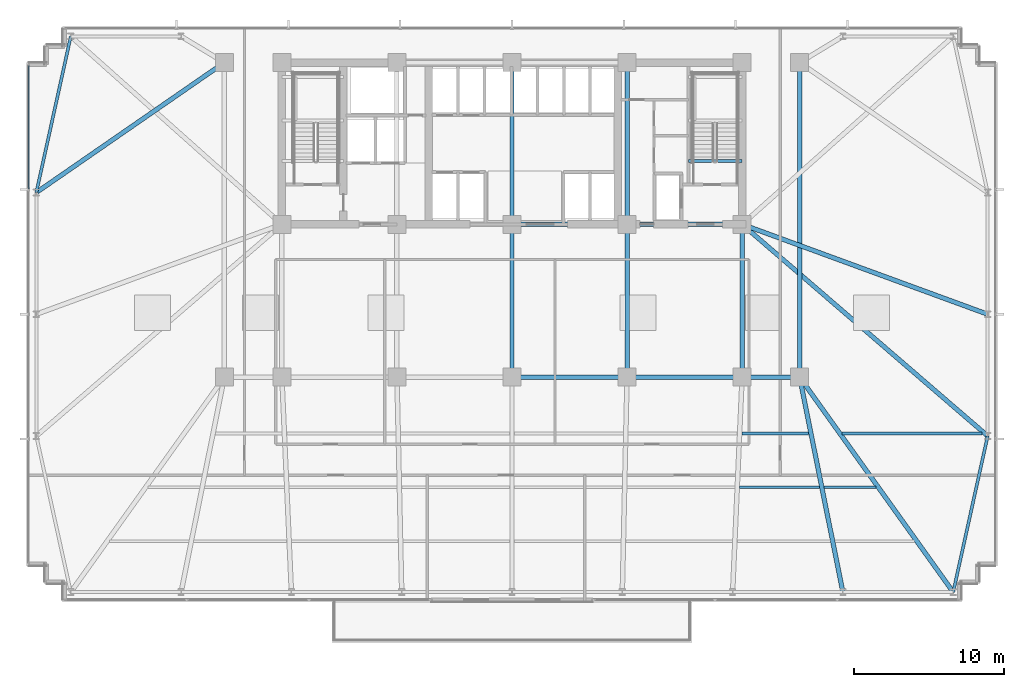
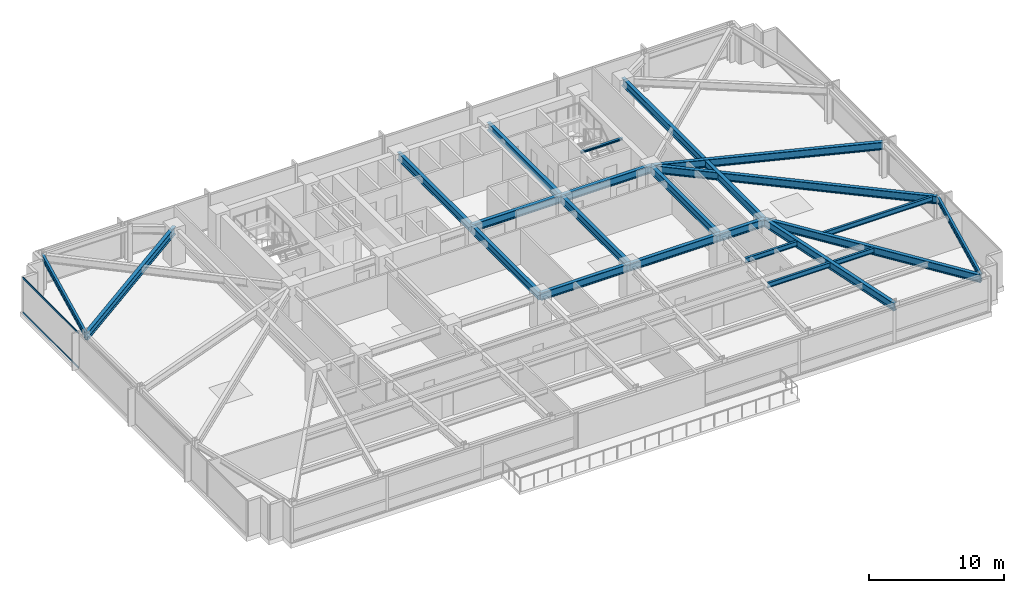
# One storey, part 14 of 31: 23 beams, 2 members, 1 element without a shape of its own.
"""IFC4 building model written with IfcOpenShell, lengths in metres."""

from ifc_helpers import new_model, si_unit, direction, frame, origin, origin_2d, place, context, subcontext, project, spatial, hollow_rectangle, i_section, extrude, material, material_profile, profile_set, type_object, element, aggregate, save


model = new_model("IFC4")

# Units and contexts
model_context = context("Model", 3, precision=1e-05, world=origin(), true_north=direction((0.0, 1.0)))
body_context = subcontext(model_context, "Body", "Model", "MODEL_VIEW")
ifc_project = project(units=[si_unit("LENGTHUNIT", "METRE"), si_unit("AREAUNIT", "SQUARE_METRE"), si_unit("VOLUMEUNIT", "CUBIC_METRE"), si_unit("PLANEANGLEUNIT", "RADIAN"), si_unit("MASSUNIT", "GRAM", prefix="KILO")], contexts=[model_context])

# Site, building, storey
site_placement = place(None, origin())
site = spatial("IfcSite", under=ifc_project, at=site_placement, CompositionType="ELEMENT")
building_placement = place(site_placement, origin())
building = spatial("IfcBuilding", under=site, at=building_placement, Name="Yelkora Congress Tower", CompositionType="ELEMENT")
storey_placement = place(building_placement, frame((0.0, 0.0, 30.39990234375)))
storey = spatial("IfcBuildingStorey", under=building, at=storey_placement, Name="L06", CompositionType="ELEMENT", Elevation=30.39990234375)

# Beams
ifc_material_1 = material(Name="Steel S355J2", Category="steel")
ifc_material_profile_1 = material_profile(ifc_material_1, i_section(OverallWidth=0.300048828125, OverallDepth=0.699951171875, WebThickness=0.01708984375, FlangeThickness=0.031982421875, FilletRadius=0.027099609375, at=origin_2d()), Name="HEB 700")
ifc_profile_set_1 = profile_set([ifc_material_profile_1], Name="Steel S355J2")
beam_type_1 = type_object("IfcBeamType", Name="BM-GIRD-HEB700", PredefinedType="BEAM", material=ifc_profile_set_1)
beam_1_placement = place(storey_placement, frame((38.39990234375, 25.199951171875, 2.830078125), z_axis=(1.0, 0.0, 0.0), x_axis=(0.0, 1.0, 0.0)))
element("IfcBeam", 1, at=beam_1_placement, inside=storey, type_object=beam_type_1, Name="L06 Spine Grid D Girder 4", PredefinedType="BEAM", context=body_context, shape_type="SweptSolid", body=[
    extrude(i_section(OverallWidth=0.300048828125, OverallDepth=0.699951171875, WebThickness=0.01708984375, FlangeThickness=0.031982421875, FilletRadius=0.027099609375, at=origin_2d()), origin(), (0.0, 0.0, 1.0), 7.68017578125),
])
beam_2_placement = place(storey_placement, frame((46.080078125, 25.199951171875, 2.830078125), z_axis=(1.0, 0.0, 0.0), x_axis=(0.0, 1.0, 0.0)))
element("IfcBeam", 2, at=beam_2_placement, inside=storey, type_object=beam_type_1, Name="L06 Spine Grid D Girder 5", PredefinedType="BEAM", context=body_context, shape_type="SweptSolid", body=[
    extrude(i_section(OverallWidth=0.300048828125, OverallDepth=0.699951171875, WebThickness=0.01708984375, FlangeThickness=0.031982421875, FilletRadius=0.027099609375, at=origin_2d()), origin(), (0.0, 0.0, 1.0), 7.679931640625),
])
beam_3_placement = place(storey_placement, frame((53.760009765625, 25.199951171875, 2.830078125), z_axis=(1.0, 0.0, 0.0), x_axis=(0.0, 1.0, 0.0)))
element("IfcBeam", 3, at=beam_3_placement, inside=storey, type_object=beam_type_1, Name="L06 Spine Grid D Girder 6", PredefinedType="BEAM", context=body_context, shape_type="SweptSolid", body=[
    extrude(i_section(OverallWidth=0.300048828125, OverallDepth=0.699951171875, WebThickness=0.01708984375, FlangeThickness=0.031982421875, FilletRadius=0.027099609375, at=origin_2d()), origin(), (0.0, 0.0, 1.0), 3.840087890625),
])
beam_4_placement = place(storey_placement, frame((38.39990234375, 35.39990234375, 2.830078125), z_axis=(1.0, 0.0, 0.0), x_axis=(0.0, 1.0, 0.0)))
element("IfcBeam", 4, at=beam_4_placement, inside=storey, type_object=beam_type_1, Name="L06 Core South Girder 3", PredefinedType="BEAM", context=body_context, shape_type="SweptSolid", body=[
    extrude(i_section(OverallWidth=0.300048828125, OverallDepth=0.699951171875, WebThickness=0.01708984375, FlangeThickness=0.031982421875, FilletRadius=0.027099609375, at=origin_2d()), origin(), (0.0, 0.0, 1.0), 7.68017578125),
])
beam_5_placement = place(storey_placement, frame((46.080078125, 35.39990234375, 2.830078125), z_axis=(1.0, 0.0, 0.0), x_axis=(0.0, 1.0, 0.0)))
element("IfcBeam", 5, at=beam_5_placement, inside=storey, type_object=beam_type_1, Name="L06 Core South Girder 4", PredefinedType="BEAM", context=body_context, shape_type="SweptSolid", body=[
    extrude(i_section(OverallWidth=0.300048828125, OverallDepth=0.699951171875, WebThickness=0.01708984375, FlangeThickness=0.031982421875, FilletRadius=0.027099609375, at=origin_2d()), origin(), (0.0, 0.0, 1.0), 7.679931640625),
])
beam_6_placement = place(storey_placement, frame((38.39990234375, 25.199951171875, 2.830078125), z_axis=(0.0, 1.0, 0.0), x_axis=(-1.0, 0.0, 0.0)))
element("IfcBeam", 6, at=beam_6_placement, inside=storey, type_object=beam_type_1, Name="L06 Core Tie Girder MC-D3", PredefinedType="BEAM", context=body_context, shape_type="SweptSolid", body=[
    extrude(i_section(OverallWidth=0.300048828125, OverallDepth=0.699951171875, WebThickness=0.01708984375, FlangeThickness=0.031982421875, FilletRadius=0.027099609375, at=origin_2d()), origin(), (0.0, 0.0, 1.0), 10.199951171875),
])
beam_7_placement = place(storey_placement, frame((38.39990234375, 35.39990234375, 2.830078125), z_axis=(0.0, 1.0, 0.0), x_axis=(-1.0, 0.0, 0.0)))
element("IfcBeam", 7, at=beam_7_placement, inside=storey, type_object=beam_type_1, Name="L06 Core Tie Girder MC-S3", PredefinedType="BEAM", context=body_context, shape_type="SweptSolid", body=[
    extrude(i_section(OverallWidth=0.300048828125, OverallDepth=0.699951171875, WebThickness=0.01708984375, FlangeThickness=0.031982421875, FilletRadius=0.027099609375, at=origin_2d()), origin(), (0.0, 0.0, 1.0), 10.800048828125),
])
beam_8_placement = place(storey_placement, frame((46.080078125, 25.199951171875, 2.830078125), z_axis=(0.0, 1.0, 0.0), x_axis=(-1.0, 0.0, 0.0)))
element("IfcBeam", 8, at=beam_8_placement, inside=storey, type_object=beam_type_1, Name="L06 Core Tie Girder MC-D4", PredefinedType="BEAM", context=body_context, shape_type="SweptSolid", body=[
    extrude(i_section(OverallWidth=0.300048828125, OverallDepth=0.699951171875, WebThickness=0.01708984375, FlangeThickness=0.031982421875, FilletRadius=0.027099609375, at=origin_2d()), origin(), (0.0, 0.0, 1.0), 10.199951171875),
])
beam_9_placement = place(storey_placement, frame((46.080078125, 35.39990234375, 2.830078125), z_axis=(0.0, 1.0, 0.0), x_axis=(-1.0, 0.0, 0.0)))
element("IfcBeam", 9, at=beam_9_placement, inside=storey, type_object=beam_type_1, Name="L06 Core Tie Girder MC-S4", PredefinedType="BEAM", context=body_context, shape_type="SweptSolid", body=[
    extrude(i_section(OverallWidth=0.300048828125, OverallDepth=0.699951171875, WebThickness=0.01708984375, FlangeThickness=0.031982421875, FilletRadius=0.027099609375, at=origin_2d()), origin(), (0.0, 0.0, 1.0), 10.800048828125),
])
beam_10_placement = place(storey_placement, frame((53.760009765625, 25.199951171875, 2.830078125), z_axis=(0.0, 1.0, 0.0), x_axis=(-1.0, 0.0, 0.0)))
element("IfcBeam", 10, at=beam_10_placement, inside=storey, type_object=beam_type_1, Name="L06 Core Tie Girder MC-D5", PredefinedType="BEAM", context=body_context, shape_type="SweptSolid", body=[
    extrude(i_section(OverallWidth=0.300048828125, OverallDepth=0.699951171875, WebThickness=0.01708984375, FlangeThickness=0.031982421875, FilletRadius=0.027099609375, at=origin_2d()), origin(), (0.0, 0.0, 1.0), 10.199951171875),
])
beam_11_placement = place(storey_placement, frame((57.60009765625, 25.199951171875, 2.830078125), z_axis=(0.0, 1.0, 0.0), x_axis=(-1.0, 0.0, 0.0)))
element("IfcBeam", 11, at=beam_11_placement, inside=storey, type_object=beam_type_1, Name="L06 Neck Flank Girder MC-F2", PredefinedType="BEAM", context=body_context, shape_type="SweptSolid", body=[
    extrude(i_section(OverallWidth=0.300048828125, OverallDepth=0.699951171875, WebThickness=0.01708984375, FlangeThickness=0.031982421875, FilletRadius=0.027099609375, at=origin_2d()), origin(), (0.0, 0.0, 1.0), 21.0),
])
beam_12_placement = place(storey_placement, frame((60.487548828125, 10.85009765625, 2.830078125), z_axis=(-0.197264295931, 0.980350344291, 0.0), x_axis=(-0.980350344291, -0.197264295931, 0.0)))
element("IfcBeam", 12, at=beam_12_placement, inside=storey, type_object=beam_type_1, Name="L06 Primary Frame Girder S08", PredefinedType="BEAM", context=body_context, shape_type="SweptSolid", body=[
    extrude(i_section(OverallWidth=0.300048828125, OverallDepth=0.699951171875, WebThickness=0.01708984375, FlangeThickness=0.031982421875, FilletRadius=0.027099609375, at=origin_2d()), origin(), (0.0, 0.0, 1.0), 14.637451171875),
])
beam_13_placement = place(storey_placement, frame((67.85009765625, 10.85009765625, 2.830078125), z_axis=(-0.581242122521, 0.813730664906, 0.0), x_axis=(-0.813730664906, -0.581242122521, 0.0)))
element("IfcBeam", 13, at=beam_13_placement, inside=storey, type_object=beam_type_1, Name="L06 Primary Frame Girder S09", PredefinedType="BEAM", context=body_context, shape_type="SweptSolid", body=[
    extrude(i_section(OverallWidth=0.300048828125, OverallDepth=0.699951171875, WebThickness=0.01708984375, FlangeThickness=0.031982421875, FilletRadius=0.027099609375, at=origin_2d()), origin(), (0.0, 0.0, 1.0), 17.634765625),
])
beam_14_placement = place(storey_placement, frame((70.14990234375, 21.27490234375, 2.830078125), z_axis=(-0.757506357109, 0.652827786586, 0.0), x_axis=(-0.652827786586, -0.757506357109, 0.0)))
element("IfcBeam", 14, at=beam_14_placement, inside=storey, type_object=beam_type_1, Name="L06 Primary Frame Girder E01", PredefinedType="BEAM", context=body_context, shape_type="SweptSolid", body=[
    extrude(i_section(OverallWidth=0.300048828125, OverallDepth=0.699951171875, WebThickness=0.01708984375, FlangeThickness=0.031982421875, FilletRadius=0.027099609375, at=origin_2d()), origin(), (0.0, 0.0, 1.0), 21.63671875),
])
beam_15_placement = place(storey_placement, frame((70.14990234375, 29.39990234375, 2.830078125), z_axis=(-0.939054471542, 0.343768380567, 0.0), x_axis=(-0.343768380567, -0.939054471542, 0.0)))
element("IfcBeam", 15, at=beam_15_placement, inside=storey, type_object=beam_type_1, Name="L06 Primary Frame Girder E02", PredefinedType="BEAM", context=body_context, shape_type="SweptSolid", body=[
    extrude(i_section(OverallWidth=0.300048828125, OverallDepth=0.699951171875, WebThickness=0.01708984375, FlangeThickness=0.031982421875, FilletRadius=0.027099609375, at=origin_2d()), origin(), (0.0, 0.0, 1.0), 17.45361328125),
])
beam_16_placement = place(storey_placement, frame((6.64990234375, 37.52490234375, 2.830078125), z_axis=(0.822604454175, 0.568614027238, 0.0), x_axis=(-0.568614027238, 0.822604454175, 0.0)))
element("IfcBeam", 16, at=beam_16_placement, inside=storey, type_object=beam_type_1, Name="L06 Primary Frame Girder W03", PredefinedType="BEAM", context=body_context, shape_type="SweptSolid", body=[
    extrude(i_section(OverallWidth=0.300048828125, OverallDepth=0.699951171875, WebThickness=0.01708984375, FlangeThickness=0.031982421875, FilletRadius=0.027099609375, at=origin_2d()), origin(), (0.0, 0.0, 1.0), 15.256591796875),
])
ifc_material_profile_2 = material_profile(ifc_material_1, i_section(OverallWidth=0.18994140625, OverallDepth=0.449951171875, WebThickness=0.009521484375, FlangeThickness=0.0146484375, FilletRadius=0.02099609375, at=origin_2d()), Name="IPE 450")
ifc_profile_set_2 = profile_set([ifc_material_profile_2], Name="Steel S355J2")
beam_type_2 = type_object("IfcBeamType", Name="BM-JOIST-IPE450", PredefinedType="JOIST", material=ifc_profile_set_2)
beam_17_placement = place(storey_placement, frame((53.5947265625, 17.85009765625, 2.955078125), z_axis=(1.0, 0.0, 0.0), x_axis=(0.0, 1.0, 0.0)))
element("IfcBeam", 17, at=beam_17_placement, inside=storey, type_object=beam_type_2, Name="L06 Composite Floor Joist 15", PredefinedType="JOIST", context=body_context, shape_type="SweptSolid", body=[
    extrude(i_section(OverallWidth=0.18994140625, OverallDepth=0.449951171875, WebThickness=0.009521484375, FlangeThickness=0.0146484375, FilletRadius=0.02099609375, at=origin_2d()), origin(), (0.0, 0.0, 1.0), 5.32421875),
])
beam_18_placement = place(storey_placement, frame((59.239013671875, 17.85009765625, 2.955078125), z_axis=(1.0, 0.0, 0.0), x_axis=(0.0, 1.0, 0.0)))
element("IfcBeam", 18, at=beam_18_placement, inside=storey, type_object=beam_type_2, Name="L06 Composite Floor Joist 16", PredefinedType="JOIST", context=body_context, shape_type="SweptSolid", body=[
    extrude(i_section(OverallWidth=0.18994140625, OverallDepth=0.449951171875, WebThickness=0.009521484375, FlangeThickness=0.0146484375, FilletRadius=0.02099609375, at=origin_2d()), origin(), (0.0, 0.0, 1.0), 3.450927734375),
])
beam_19_placement = place(storey_placement, frame((53.754150390625, 21.449951171875, 2.955078125), z_axis=(1.0, 0.0, 0.0), x_axis=(0.0, 1.0, 0.0)))
element("IfcBeam", 19, at=beam_19_placement, inside=storey, type_object=beam_type_2, Name="L06 Composite Floor Joist 22", PredefinedType="JOIST", context=body_context, shape_type="SweptSolid", body=[
    extrude(i_section(OverallWidth=0.18994140625, OverallDepth=0.449951171875, WebThickness=0.009521484375, FlangeThickness=0.0146484375, FilletRadius=0.02099609375, at=origin_2d()), origin(), (0.0, 0.0, 1.0), 4.4404296875),
])
beam_20_placement = place(storey_placement, frame((60.438720703125, 21.449951171875, 2.955078125), z_axis=(1.0, 0.0, 0.0), x_axis=(0.0, 1.0, 0.0)))
element("IfcBeam", 20, at=beam_20_placement, inside=storey, type_object=beam_type_2, Name="L06 Composite Floor Joist 23", PredefinedType="JOIST", context=body_context, shape_type="SweptSolid", body=[
    extrude(i_section(OverallWidth=0.18994140625, OverallDepth=0.449951171875, WebThickness=0.009521484375, FlangeThickness=0.0146484375, FilletRadius=0.02099609375, at=origin_2d()), origin(), (0.0, 0.0, 1.0), 9.34814453125),
])
ifc_material_profile_3 = material_profile(ifc_material_1, i_section(OverallWidth=0.199951171875, OverallDepth=0.18994140625, WebThickness=0.006591796875, FlangeThickness=0.010009765625, FilletRadius=0.01806640625, at=origin_2d()), Name="HEA 200")
ifc_profile_set_3 = profile_set([ifc_material_profile_3], Name="Steel S355J2")
beam_type_3 = type_object("IfcBeamType", Name="BM-LAND-HEA200", PredefinedType="BEAM", material=ifc_profile_set_3)
beam_21_placement = place(storey_placement, frame((50.179931640625, 39.639892578125, 2.947509765625), z_axis=(1.0, 0.0, 0.0), x_axis=(0.0, 1.0, 0.0)))
element("IfcBeam", 21, at=beam_21_placement, inside=storey, type_object=beam_type_3, Name="ST-02 L06 Floor Arrival Stringer Header Beam", PredefinedType="BEAM", context=body_context, shape_type="SweptSolid", body=[
    extrude(i_section(OverallWidth=0.199951171875, OverallDepth=0.18994140625, WebThickness=0.006591796875, FlangeThickness=0.010009765625, FilletRadius=0.01806640625, at=origin_2d()), origin(), (0.0, 0.0, 1.0), 3.580078125),
])
ifc_material_profile_4 = material_profile(ifc_material_1, i_section(OverallWidth=0.199951171875, OverallDepth=0.5, WebThickness=0.01025390625, FlangeThickness=0.01611328125, FilletRadius=0.02099609375, at=origin_2d()), Name="IPE 500")
ifc_profile_set_4 = profile_set([ifc_material_profile_4], Name="Steel S355J2")
beam_type_4 = type_object("IfcBeamType", Name="BM-SPAN-IPE500", PredefinedType="SPANDREL", material=ifc_profile_set_4)
beam_22_placement = place(storey_placement, frame((67.85009765625, 10.85009765625, 2.93017578125), z_axis=(0.215428898349, 0.97651952861, 0.0), x_axis=(-0.97651952861, 0.215428898349, 0.0)))
element("IfcBeam", 22, at=beam_22_placement, inside=storey, type_object=beam_type_4, Name="L06 Perimeter Beam 10", PredefinedType="SPANDREL", context=body_context, shape_type="SweptSolid", body=[
    extrude(i_section(OverallWidth=0.199951171875, OverallDepth=0.5, WebThickness=0.01025390625, FlangeThickness=0.01611328125, FilletRadius=0.02099609375, at=origin_2d()), origin(), (0.0, 0.0, 1.0), 10.675537109375),
])
beam_23_placement = place(storey_placement, frame((8.949951171875, 47.949951171875, 2.93017578125), z_axis=(-0.215445894778, -0.976515778891, 0.0), x_axis=(0.976515778891, -0.215445894778, 0.0)))
element("IfcBeam", 23, at=beam_23_placement, inside=storey, type_object=beam_type_4, Name="L06 Perimeter Beam 17", PredefinedType="SPANDREL", context=body_context, shape_type="SweptSolid", body=[
    extrude(i_section(OverallWidth=0.199951171875, OverallDepth=0.5, WebThickness=0.01025390625, FlangeThickness=0.01611328125, FilletRadius=0.02099609375, at=origin_2d()), origin(), (0.0, 0.0, 1.0), 10.67578125),
])

# Curtain wall, members
ifc_material_2 = material(Name="Anodised aluminium and insulated glass", Category="aluminium")
curtain_wall_type = type_object("IfcCurtainWallType", Name="CW-SYS-B1", PredefinedType="NOTDEFINED", material=ifc_material_2)
curtain_wall_placement = place(storey_placement, origin())
curtain_wall = element("IfcCurtainWall", 24, at=curtain_wall_placement, inside=storey, type_object=curtain_wall_type, Name="L06 Unitised Curtain Wall 5", PredefinedType="NOTDEFINED")
ifc_material_3 = material(Name="Anodised aluminium 6063-T6", Category="aluminium")
ifc_material_profile_5 = material_profile(ifc_material_3, hollow_rectangle(XDim=0.06494140625, YDim=0.159912109375, WallThickness=0.00390625, at=origin_2d()), Name="ALU 65x160x4")
ifc_profile_set_5 = profile_set([ifc_material_profile_5], Name="Anodised aluminium 6063-T6")
member_type = type_object("IfcMemberType", Name="MEM-TR-B1", PredefinedType="USERDEFINED", material=ifc_profile_set_5)
member_1_placement = place(storey_placement, frame((6.139892578125, 37.767578125, 0.03271484375), z_axis=(0.0, 1.0, 0.0), x_axis=(-1.0, 0.0, 0.0)))
member_1 = element("IfcMember", 25, at=member_1_placement, type_object=member_type, Name="CW-B1 transom 4.1", ObjectType="TRANSOM", PredefinedType="USERDEFINED", context=body_context, shape_type="SweptSolid", body=[
    extrude(hollow_rectangle(XDim=0.06494140625, YDim=0.159912109375, WallThickness=0.00390625, at=origin_2d()), origin(), (0.0, 0.0, 1.0), 8.217529296875),
])
member_2_placement = place(storey_placement, frame((6.139892578125, 37.767578125, 3.147705078125), z_axis=(0.0, 1.0, 0.0), x_axis=(-1.0, 0.0, 0.0)))
member_2 = element("IfcMember", 26, at=member_2_placement, type_object=member_type, Name="CW-B1 transom 4.2", ObjectType="TRANSOM", PredefinedType="USERDEFINED", context=body_context, shape_type="SweptSolid", body=[
    extrude(hollow_rectangle(XDim=0.06494140625, YDim=0.159912109375, WallThickness=0.00390625, at=origin_2d()), origin(), (0.0, 0.0, 1.0), 8.217529296875),
])
aggregate(curtain_wall, [member_1, member_2])

save(model, "model.ifc")
